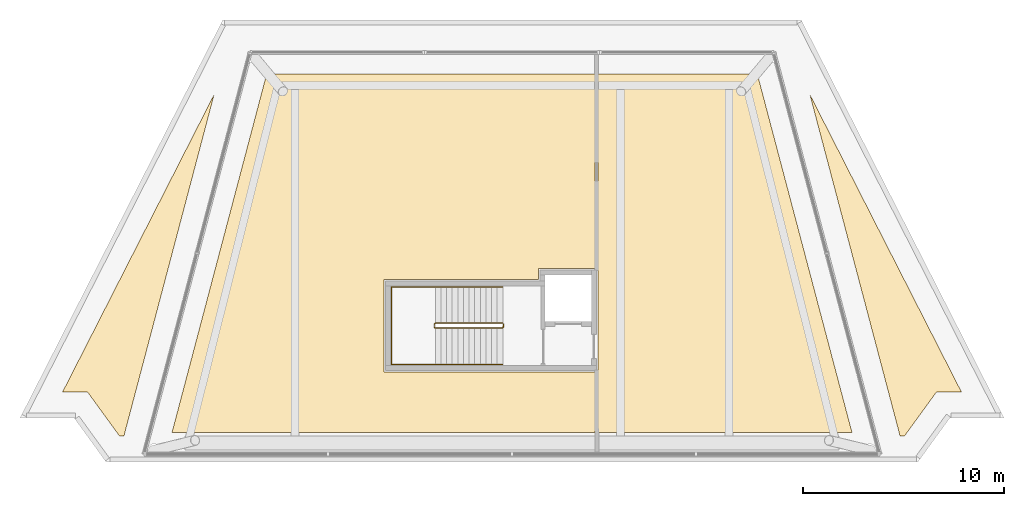
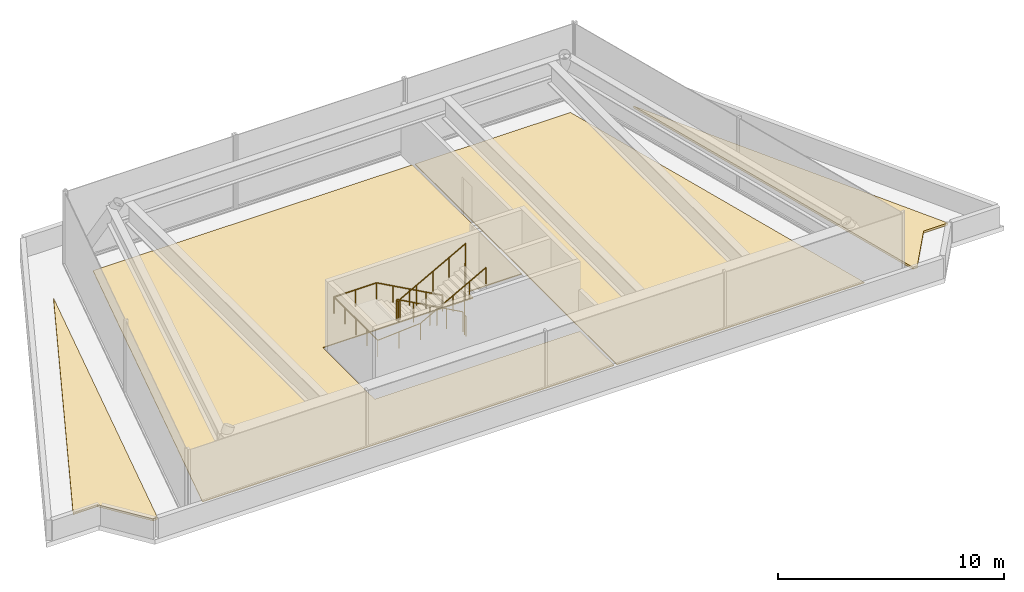
# One storey, part 3 of 3: 4 coverings, 2 railings.
"""IFC4 building model written with IfcOpenShell, lengths in metres."""

from ifc_helpers import new_model, si_unit, direction, frame, origin, origin_2d, place, context, subcontext, project, spatial, polyline, circle, outline, extrude, material, layer, layer_set, type_object, element, save


model = new_model("IFC4")

# Units and contexts
model_context = context("Model", 3, precision=1e-05, world=origin(), true_north=direction((0.0, 1.0)))
body_context = subcontext(model_context, "Body", "Model", "MODEL_VIEW")
ifc_project = project(units=[si_unit("LENGTHUNIT", "METRE"), si_unit("AREAUNIT", "SQUARE_METRE"), si_unit("VOLUMEUNIT", "CUBIC_METRE"), si_unit("PLANEANGLEUNIT", "RADIAN"), si_unit("MASSUNIT", "GRAM", prefix="KILO")], contexts=[model_context])

# Site, building, storey
site_placement = place(None, origin())
site = spatial("IfcSite", under=ifc_project, at=site_placement, CompositionType="ELEMENT")
building_placement = place(site_placement, origin())
building = spatial("IfcBuilding", under=site, at=building_placement, Name="Quipu Civic Tower", CompositionType="ELEMENT")
storey_placement = place(building_placement, frame((0.0, 0.0, 368.0)))
storey = spatial("IfcBuildingStorey", under=building, at=storey_placement, Name="L85", CompositionType="ELEMENT", Elevation=368.0)

# Coverings
ifc_material_1 = material(Name="Roof membrane and gravel ballast")
ifc_layer_1 = layer(ifc_material_1, 0.1201171875)
ifc_layer_set_1 = layer_set([ifc_layer_1], Name="Roof membrane and gravel ballast")
covering_type_1 = type_object("IfcCoveringType", Name="Roof membrane and ballast build-up", PredefinedType="ROOFING", material=ifc_layer_set_1)
covering_1_placement = place(storey_placement, origin())
element("IfcCovering", 1, at=covering_1_placement, inside=storey, type_object=covering_type_1, Name="Roof build-up L85 1", PredefinedType="ROOFING", context=body_context, shape_type="SweptSolid", body=[
    extrude(outline(polyline([(-19.54248046875, -9.699951171875), (-21.12939453125, -7.515625), (-22.370361328125, -7.515625), (-14.830322265625, 7.282470703125), (-19.31494140625, -9.699951171875), (-19.54248046875, -9.699951171875)])), origin(), (0.0, 0.0, 1.0), 0.1201171875),
])
covering_2_placement = place(storey_placement, origin())
element("IfcCovering", 2, at=covering_2_placement, inside=storey, type_object=covering_type_1, Name="Roof build-up L85 2", PredefinedType="ROOFING", context=body_context, shape_type="SweptSolid", body=[
    extrude(outline(polyline([(14.830322265625, 7.282470703125), (22.370361328125, -7.515625), (21.12939453125, -7.515625), (19.54248046875, -9.699951171875), (19.31494140625, -9.699951171875), (14.830322265625, 7.282470703125)])), origin(), (0.0, 0.0, 1.0), 0.1201171875),
])
ifc_material_2 = material(Name="Sealed cement screed")
ifc_layer_2 = layer(ifc_material_2, 0.050048828125)
ifc_layer_set_2 = layer_set([ifc_layer_2], Name="Sealed cement screed")
covering_type_2 = type_object("IfcCoveringType", Name="Sealed screed floor finish 50", PredefinedType="FLOORING", material=ifc_layer_set_2)
covering_3_placement = place(storey_placement, origin())
element("IfcCovering", 3, at=covering_3_placement, inside=storey, type_object=covering_type_2, Name="Sealed screed floor finish 50", PredefinedType="FLOORING", context=body_context, shape_type="SweptSolid", body=[
    extrude(outline(polyline([(4.27001953125, 8.320068359375), (12.208984375, 8.320068359375), (16.925048828125, -9.5400390625), (4.27001953125, -9.5400390625), (4.27001953125, 8.320068359375)])), origin(), (0.0, 0.0, 1.0), 0.050048828125),
])
covering_4_placement = place(storey_placement, origin())
element("IfcCovering", 4, at=covering_4_placement, inside=storey, type_object=covering_type_2, Name="Sealed screed floor finish 50", PredefinedType="FLOORING", context=body_context, shape_type="SweptSolid", body=[
    extrude(outline(polyline([(-12.208984375, 8.320068359375), (4.1298828125, 8.320068359375), (4.1298828125, -1.3798828125), (1.330078125, -1.3798828125), (1.330078125, -1.909912109375), (-6.3701171875, -1.909912109375), (-6.3701171875, -6.52001953125), (4.1298828125, -6.52001953125), (4.1298828125, -9.5400390625), (-16.925048828125, -9.5400390625), (-12.208984375, 8.320068359375)])), origin(), (0.0, 0.0, 1.0), 0.050048828125),
])

# Railings
ifc_material_3 = material(Name="Stainless steel", Category="steel")
railing_type_1 = type_object("IfcRailingType", Name="Stair guard 1100", PredefinedType="GUARDRAIL", material=ifc_material_3)
railing_1_placement = place(storey_placement, frame((-0.4599609375, -4.090087890625, 0.15380859375)))
element("IfcRailing", 5, at=railing_1_placement, inside=storey, type_object=railing_type_1, Name="Stair 5 guard", PredefinedType="GUARDRAIL", context=body_context, shape_type="SweptSolid", body=[
    extrude(circle(Radius=0.02392578125, at=origin_2d()), frame((0.0, 0.0, 1.076171875), z_axis=(-0.876421534553, 0.0, 0.481544695509), x_axis=(0.0, -1.0, 0.0)), (0.0, 0.0, 1.0), 3.833984375),
    extrude(circle(Radius=0.02392578125, at=origin_2d()), frame((-3.360107421875, 0.0, 2.92236328125), z_axis=(-0.708833529934, -0.705375805398, 0.0), x_axis=(0.705375805398, -0.708833529934, 0.0)), (0.0, 0.0, 1.0), 0.070556640625),
    extrude(circle(Radius=0.02392578125, at=origin_2d()), frame((-3.41015625, -0.0498046875, 2.92236328125), z_axis=(0.0, -1.0, 0.0), x_axis=(1.0, 0.0, 0.0)), (0.0, 0.0, 1.0), 0.150146484375),
    extrude(circle(Radius=0.02392578125, at=origin_2d()), frame((-3.41015625, -0.199951171875, 2.92236328125), z_axis=(0.295599637079, -0.295599637079, 0.908428152975), x_axis=(0.707106781187, 0.707106781187, 0.0)), (0.0, 0.0, 1.0), 0.16943359375),
    extrude(circle(Radius=0.02392578125, at=origin_2d()), frame((-3.360107421875, -0.25, 3.076171875), z_axis=(0.876421534553, 0.0, 0.481544695509), x_axis=(0.0, 1.0, 0.0)), (0.0, 0.0, 1.0), 3.833984375),
    extrude(circle(Radius=0.02392578125, at=origin_2d()), frame((0.0, -0.25, 4.92236328125), z_axis=(0.012495589946, 0.049982359782, -0.998671930086), x_axis=(-0.970142500145, 0.242535625036, 0.0)), (0.0, 0.0, 1.0), 4.00537109375),
    extrude(circle(Radius=0.02392578125, at=origin_2d()), frame((0.050048828125, -0.0498046875, 0.92236328125), z_axis=(0.0, -1.0, 0.0), x_axis=(1.0, 0.0, 0.0)), (0.0, 0.0, 1.0), 0.150146484375),
    extrude(circle(Radius=0.02099609375, at=origin_2d()), origin(), (0.0, 0.0, 1.0), 1.052001953125),
    extrude(circle(Radius=0.02099609375, at=origin_2d()), frame((-0.840087890625, 0.0, 0.46142578125)), (0.0, 0.0, 1.0), 1.052001953125),
    extrude(circle(Radius=0.02099609375, at=origin_2d()), frame((-1.68017578125, 0.0, 0.923095703125)), (0.0, 0.0, 1.0), 1.052001953125),
    extrude(circle(Radius=0.02099609375, at=origin_2d()), frame((-2.52001953125, 0.0, 1.384765625)), (0.0, 0.0, 1.0), 1.052001953125),
    extrude(circle(Radius=0.02099609375, at=origin_2d()), frame((-3.360107421875, 0.0, 1.84619140625)), (0.0, 0.0, 1.0), 1.052001953125),
    extrude(circle(Radius=0.02099609375, at=origin_2d()), frame((-3.41015625, -0.0498046875, 1.84619140625)), (0.0, 0.0, 1.0), 1.052001953125),
    extrude(circle(Radius=0.02099609375, at=origin_2d()), frame((-3.41015625, -0.199951171875, 1.84619140625)), (0.0, 0.0, 1.0), 1.052001953125),
    extrude(circle(Radius=0.02099609375, at=origin_2d()), frame((-3.360107421875, -0.25, 2.0)), (0.0, 0.0, 1.0), 1.052001953125),
    extrude(circle(Radius=0.02099609375, at=origin_2d()), frame((-2.52001953125, -0.25, 2.46142578125)), (0.0, 0.0, 1.0), 1.052001953125),
    extrude(circle(Radius=0.02099609375, at=origin_2d()), frame((-1.68017578125, -0.25, 2.923095703125)), (0.0, 0.0, 1.0), 1.052001953125),
    extrude(circle(Radius=0.02099609375, at=origin_2d()), frame((-0.840087890625, -0.25, 3.384765625)), (0.0, 0.0, 1.0), 1.052001953125),
    extrude(circle(Radius=0.02099609375, at=origin_2d()), frame((0.0, -0.25, 3.84619140625)), (0.0, 0.0, 1.0), 1.052001953125),
    extrude(circle(Radius=0.02099609375, at=origin_2d()), frame((0.012451171875, -0.199951171875, 2.84619140625)), (0.0, 0.0, 1.0), 1.052001953125),
    extrude(circle(Radius=0.02099609375, at=origin_2d()), frame((0.02490234375, -0.14990234375, 1.84619140625)), (0.0, 0.0, 1.0), 1.052001953125),
    extrude(circle(Radius=0.02099609375, at=origin_2d()), frame((0.03759765625, -0.099853515625, 0.84619140625)), (0.0, 0.0, 1.0), 1.052001953125),
    extrude(circle(Radius=0.02099609375, at=origin_2d()), frame((0.050048828125, -0.0498046875, -0.15380859375)), (0.0, 0.0, 1.0), 1.052001953125),
    extrude(circle(Radius=0.02099609375, at=origin_2d()), frame((0.050048828125, -0.199951171875, -0.15380859375)), (0.0, 0.0, 1.0), 1.052001953125),
])
ifc_material_4 = material(Name="Stainless steel", Category="steel")
railing_type_2 = type_object("IfcRailingType", Name="Stair handrail", PredefinedType="HANDRAIL", material=ifc_material_4)
railing_2_placement = place(storey_placement, frame((-0.4599609375, -2.280029296875, 0.15380859375)))
element("IfcRailing", 6, at=railing_2_placement, inside=storey, type_object=railing_type_2, Name="Stair 5 handrail", PredefinedType="HANDRAIL", context=body_context, shape_type="SweptSolid", body=[
    extrude(circle(Radius=0.02392578125, at=origin_2d()), frame((0.0, 0.0, 0.8759765625), z_axis=(-0.876421534553, 0.0, 0.481544695509), x_axis=(0.0, -1.0, 0.0)), (0.0, 0.0, 1.0), 3.833984375),
    extrude(circle(Radius=0.02392578125, at=origin_2d()), frame((-3.360107421875, 0.0, 2.72216796875), z_axis=(-1.0, 0.0, 0.0), x_axis=(0.0, -1.0, 0.0)), (0.0, 0.0, 1.0), 2.179931640625),
    extrude(circle(Radius=0.02392578125, at=origin_2d()), frame((-5.5400390625, 0.0, 2.72216796875), z_axis=(0.0, -1.0, 0.0), x_axis=(1.0, 0.0, 0.0)), (0.0, 0.0, 1.0), 3.869873046875),
    extrude(circle(Radius=0.02392578125, at=origin_2d()), frame((-5.5400390625, -3.869873046875, 2.72216796875), z_axis=(0.997520137335, 0.0, 0.070381642572), x_axis=(0.0, 1.0, 0.0)), (0.0, 0.0, 1.0), 2.185302734375),
    extrude(circle(Radius=0.02392578125, at=origin_2d()), frame((-3.360107421875, -3.869873046875, 2.8759765625), z_axis=(0.876421534553, 0.0, 0.481544695509), x_axis=(0.0, 1.0, 0.0)), (0.0, 0.0, 1.0), 3.833984375),
    extrude(circle(Radius=0.02099609375, at=origin_2d()), origin(), (0.0, 0.0, 1.0), 0.851806640625),
    extrude(circle(Radius=0.02099609375, at=origin_2d()), frame((-0.840087890625, 0.0, 0.46142578125)), (0.0, 0.0, 1.0), 0.851806640625),
    extrude(circle(Radius=0.02099609375, at=origin_2d()), frame((-1.68017578125, 0.0, 0.923095703125)), (0.0, 0.0, 1.0), 0.851806640625),
    extrude(circle(Radius=0.02099609375, at=origin_2d()), frame((-2.52001953125, 0.0, 1.384765625)), (0.0, 0.0, 1.0), 0.851806640625),
    extrude(circle(Radius=0.02099609375, at=origin_2d()), frame((-3.360107421875, 0.0, 1.84619140625)), (0.0, 0.0, 1.0), 0.851806640625),
    extrude(circle(Radius=0.02099609375, at=origin_2d()), frame((-4.4501953125, 0.0, 1.84619140625)), (0.0, 0.0, 1.0), 0.851806640625),
    extrude(circle(Radius=0.02099609375, at=origin_2d()), frame((-5.5400390625, 0.0, 1.84619140625)), (0.0, 0.0, 1.0), 0.851806640625),
    extrude(circle(Radius=0.02099609375, at=origin_2d()), frame((-5.5400390625, -0.967529296875, 1.84619140625)), (0.0, 0.0, 1.0), 0.851806640625),
    extrude(circle(Radius=0.02099609375, at=origin_2d()), frame((-5.5400390625, -1.93505859375, 1.84619140625)), (0.0, 0.0, 1.0), 0.851806640625),
    extrude(circle(Radius=0.02099609375, at=origin_2d()), frame((-5.5400390625, -2.90234375, 1.84619140625)), (0.0, 0.0, 1.0), 0.851806640625),
    extrude(circle(Radius=0.02099609375, at=origin_2d()), frame((-5.5400390625, -3.869873046875, 1.84619140625)), (0.0, 0.0, 1.0), 0.851806640625),
    extrude(circle(Radius=0.02099609375, at=origin_2d()), frame((-4.4501953125, -3.869873046875, 1.923095703125)), (0.0, 0.0, 1.0), 0.851806640625),
    extrude(circle(Radius=0.02099609375, at=origin_2d()), frame((-3.360107421875, -3.869873046875, 2.0)), (0.0, 0.0, 1.0), 0.851806640625),
    extrude(circle(Radius=0.02099609375, at=origin_2d()), frame((-2.52001953125, -3.869873046875, 2.46142578125)), (0.0, 0.0, 1.0), 0.851806640625),
    extrude(circle(Radius=0.02099609375, at=origin_2d()), frame((-1.68017578125, -3.869873046875, 2.923095703125)), (0.0, 0.0, 1.0), 0.851806640625),
    extrude(circle(Radius=0.02099609375, at=origin_2d()), frame((-0.840087890625, -3.869873046875, 3.384765625)), (0.0, 0.0, 1.0), 0.851806640625),
    extrude(circle(Radius=0.02099609375, at=origin_2d()), frame((0.0, -3.869873046875, 3.84619140625)), (0.0, 0.0, 1.0), 0.851806640625),
])

save(model, "model.ifc")
